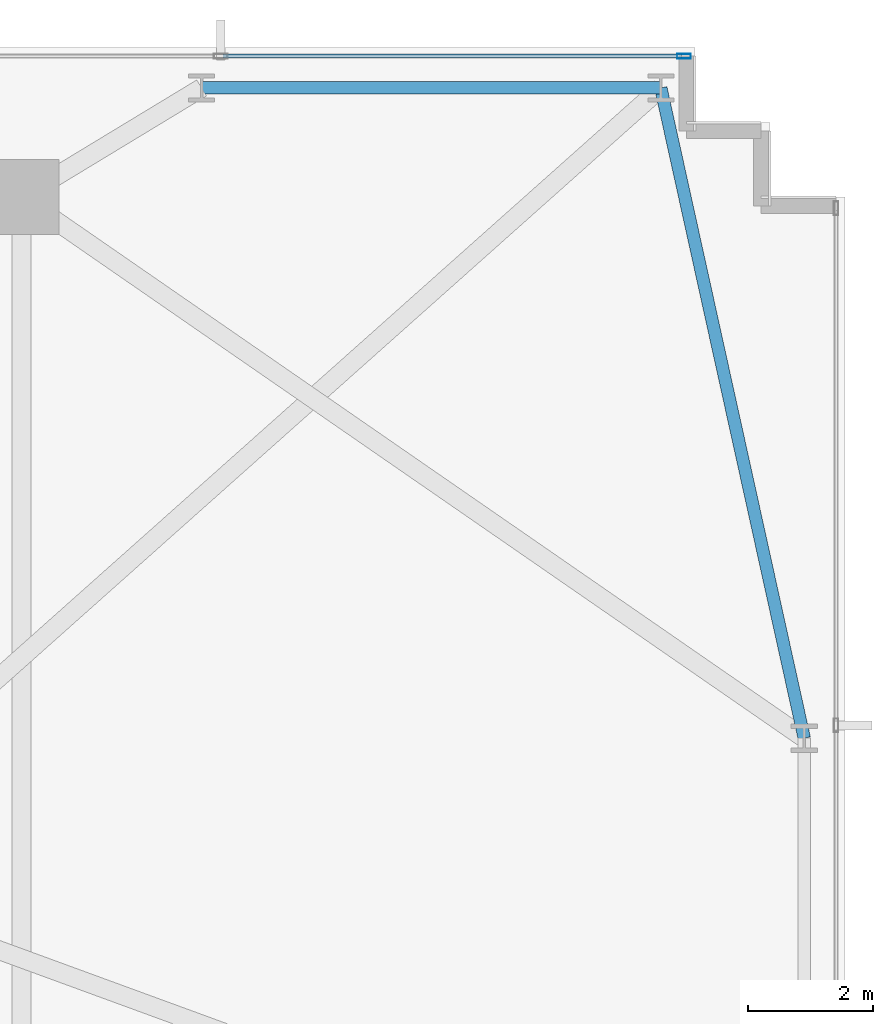
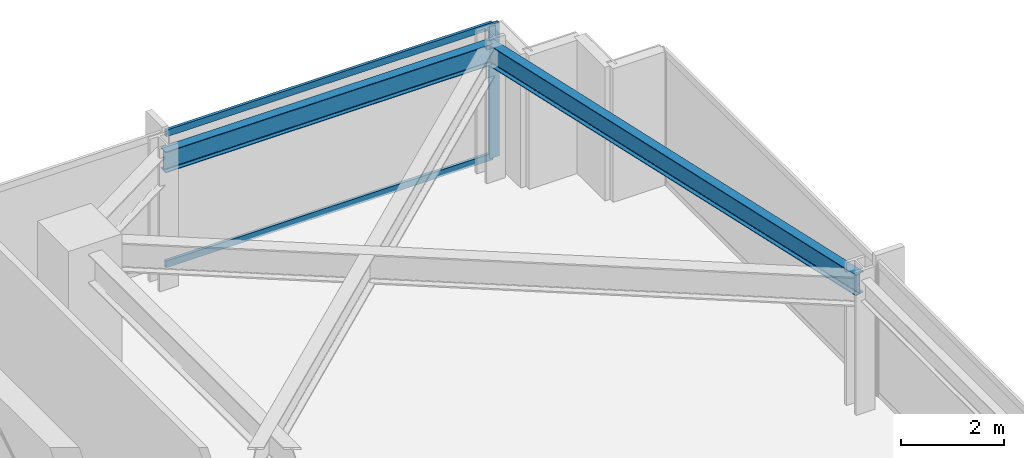
# One storey, part 21 of 32: 3 members, 2 beams, 1 element without a shape of its own.
"""IFC4 building model written with IfcOpenShell, lengths in metres."""

from ifc_helpers import new_model, si_unit, direction, frame, origin, origin_2d, place, context, subcontext, project, spatial, hollow_rectangle, i_section, extrude, material, material_profile, profile_set, type_object, element, aggregate, save


model = new_model("IFC4")

# Units and contexts
model_context = context("Model", 3, precision=1e-05, world=origin(), true_north=direction((0.0, 1.0)))
body_context = subcontext(model_context, "Body", "Model", "MODEL_VIEW")
ifc_project = project(units=[si_unit("LENGTHUNIT", "METRE"), si_unit("AREAUNIT", "SQUARE_METRE"), si_unit("VOLUMEUNIT", "CUBIC_METRE"), si_unit("PLANEANGLEUNIT", "RADIAN"), si_unit("MASSUNIT", "GRAM", prefix="KILO")], contexts=[model_context])

# Site, building, storey
site_placement = place(None, origin())
site = spatial("IfcSite", under=ifc_project, at=site_placement, CompositionType="ELEMENT")
building_placement = place(site_placement, origin())
building = spatial("IfcBuilding", under=site, at=building_placement, Name="Yelkora Congress Tower", CompositionType="ELEMENT")
storey_placement = place(building_placement, frame((0.0, 0.0, 57.60009765625)))
storey = spatial("IfcBuildingStorey", under=building, at=storey_placement, Name="L14", CompositionType="ELEMENT", Elevation=57.60009765625)

# Beams
ifc_material_1 = material(Name="Steel S355J2", Category="steel")
ifc_material_profile_1 = material_profile(ifc_material_1, i_section(OverallWidth=0.199951171875, OverallDepth=0.5, WebThickness=0.01025390625, FlangeThickness=0.01611328125, FilletRadius=0.02099609375, at=origin_2d()), Name="IPE 500")
ifc_profile_set_1 = profile_set([ifc_material_profile_1], Name="Steel S355J2")
beam_type = type_object("IfcBeamType", Name="BM-SPAN-IPE500", PredefinedType="SPANDREL", material=ifc_profile_set_1)
beam_1_placement = place(storey_placement, frame((70.14990234375, 37.52490234375, 2.929931640625), z_axis=(-0.215424087425, 0.97652058993, 0.0), x_axis=(-0.97652058993, -0.215424087425, 0.0)))
element("IfcBeam", 1, at=beam_1_placement, inside=storey, type_object=beam_type, Name="L14 Perimeter Beam 13", PredefinedType="SPANDREL", context=body_context, shape_type="SweptSolid", body=[
    extrude(i_section(OverallWidth=0.199951171875, OverallDepth=0.5, WebThickness=0.01025390625, FlangeThickness=0.01611328125, FilletRadius=0.02099609375, at=origin_2d()), origin(), (0.0, 0.0, 1.0), 10.67578125),
])
beam_2_placement = place(storey_placement, frame((67.85009765625, 47.949951171875, 2.929931640625), z_axis=(-1.0, 0.0, 0.0), x_axis=(0.0, -1.0, 0.0)))
element("IfcBeam", 2, at=beam_2_placement, inside=storey, type_object=beam_type, Name="L14 Perimeter Beam 14", PredefinedType="SPANDREL", context=body_context, shape_type="SweptSolid", body=[
    extrude(i_section(OverallWidth=0.199951171875, OverallDepth=0.5, WebThickness=0.01025390625, FlangeThickness=0.01611328125, FilletRadius=0.02099609375, at=origin_2d()), origin(), (0.0, 0.0, 1.0), 7.362548828125),
])

# Curtain wall, members
ifc_material_2 = material(Name="Anodised aluminium and insulated glass", Category="aluminium")
curtain_wall_type = type_object("IfcCurtainWallType", Name="CW-SYS-B1", PredefinedType="NOTDEFINED", material=ifc_material_2)
curtain_wall_placement = place(storey_placement, origin())
curtain_wall = element("IfcCurtainWall", 3, at=curtain_wall_placement, inside=storey, type_object=curtain_wall_type, Name="L14 Unitised Curtain Wall 10", PredefinedType="NOTDEFINED")
ifc_material_3 = material(Name="Anodised aluminium 6063-T6", Category="aluminium")
ifc_material_profile_2 = material_profile(ifc_material_3, hollow_rectangle(XDim=0.074951171875, YDim=0.219970703125, WallThickness=0.0048828125, at=origin_2d()), Name="ALU 75x220x5")
ifc_profile_set_2 = profile_set([ifc_material_profile_2], Name="Anodised aluminium 6063-T6")
member_type_1 = type_object("IfcMemberType", Name="MEM-ML-B1", PredefinedType="MULLION", material=ifc_profile_set_2)
member_1_placement = place(storey_placement, frame((68.222412109375, 48.4599609375, 0.0), z_axis=(0.0, 0.0, 1.0), x_axis=(0.0, 1.0, 0.0)))
member_1 = element("IfcMember", 4, at=member_1_placement, type_object=member_type_1, Name="CW-B1 mullion 9", PredefinedType="MULLION", context=body_context, shape_type="SweptSolid", body=[
    extrude(hollow_rectangle(XDim=0.074951171875, YDim=0.219970703125, WallThickness=0.0048828125, at=origin_2d()), origin(), (0.0, 0.0, 1.0), 3.179931640625),
])
ifc_material_profile_3 = material_profile(ifc_material_3, hollow_rectangle(XDim=0.06494140625, YDim=0.159912109375, WallThickness=0.00390625, at=origin_2d()), Name="ALU 65x160x4")
ifc_profile_set_3 = profile_set([ifc_material_profile_3], Name="Anodised aluminium 6063-T6")
member_type_2 = type_object("IfcMemberType", Name="MEM-TR-B1", PredefinedType="USERDEFINED", material=ifc_profile_set_3)
member_2_placement = place(storey_placement, frame((60.83251953125, 48.4599609375, 0.032470703125), z_axis=(1.0, 0.0, 0.0), x_axis=(0.0, 1.0, 0.0)))
member_2 = element("IfcMember", 5, at=member_2_placement, type_object=member_type_2, Name="CW-B1 transom 8.1", ObjectType="TRANSOM", PredefinedType="USERDEFINED", context=body_context, shape_type="SweptSolid", body=[
    extrude(hollow_rectangle(XDim=0.06494140625, YDim=0.159912109375, WallThickness=0.00390625, at=origin_2d()), origin(), (0.0, 0.0, 1.0), 7.3525390625),
])
member_3_placement = place(storey_placement, frame((60.83251953125, 48.4599609375, 3.1474609375), z_axis=(1.0, 0.0, 0.0), x_axis=(0.0, 1.0, 0.0)))
member_3 = element("IfcMember", 6, at=member_3_placement, type_object=member_type_2, Name="CW-B1 transom 8.2", ObjectType="TRANSOM", PredefinedType="USERDEFINED", context=body_context, shape_type="SweptSolid", body=[
    extrude(hollow_rectangle(XDim=0.06494140625, YDim=0.159912109375, WallThickness=0.00390625, at=origin_2d()), origin(), (0.0, 0.0, 1.0), 7.3525390625),
])
aggregate(curtain_wall, [member_1, member_2, member_3])

save(model, "model.ifc")
